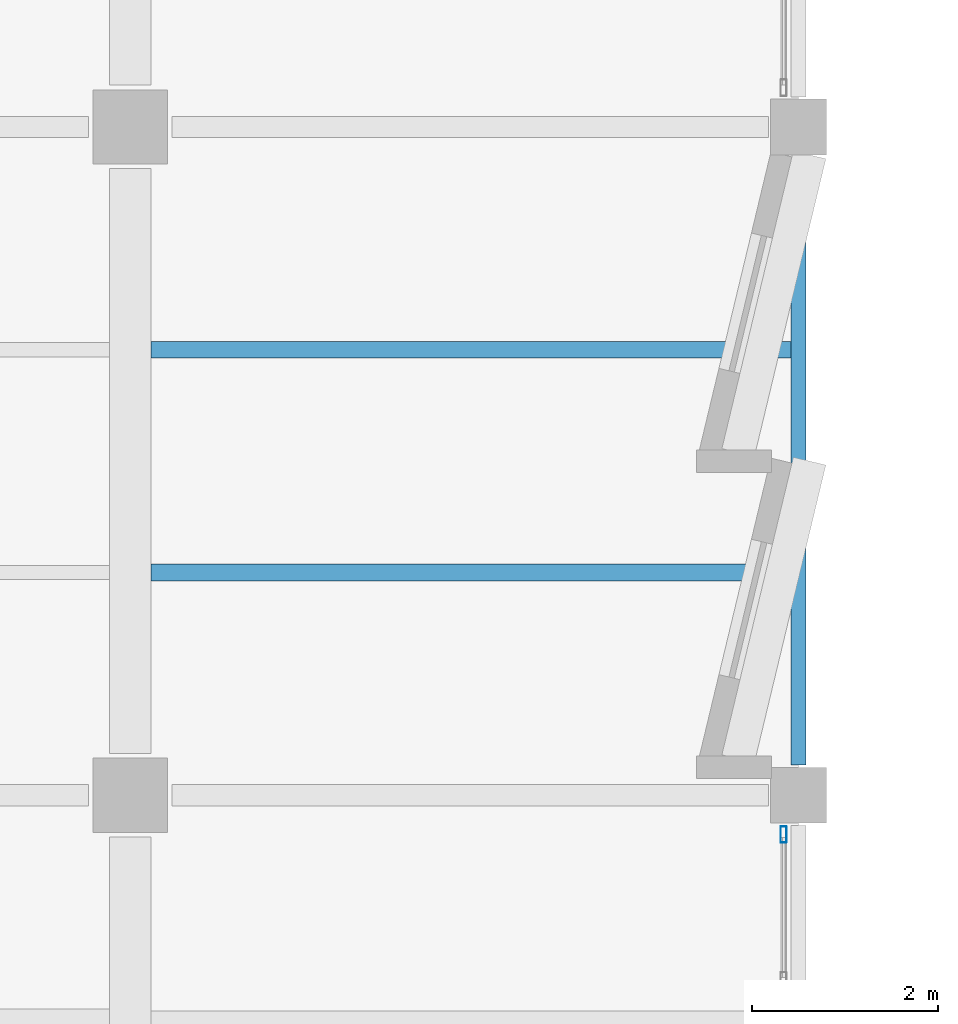
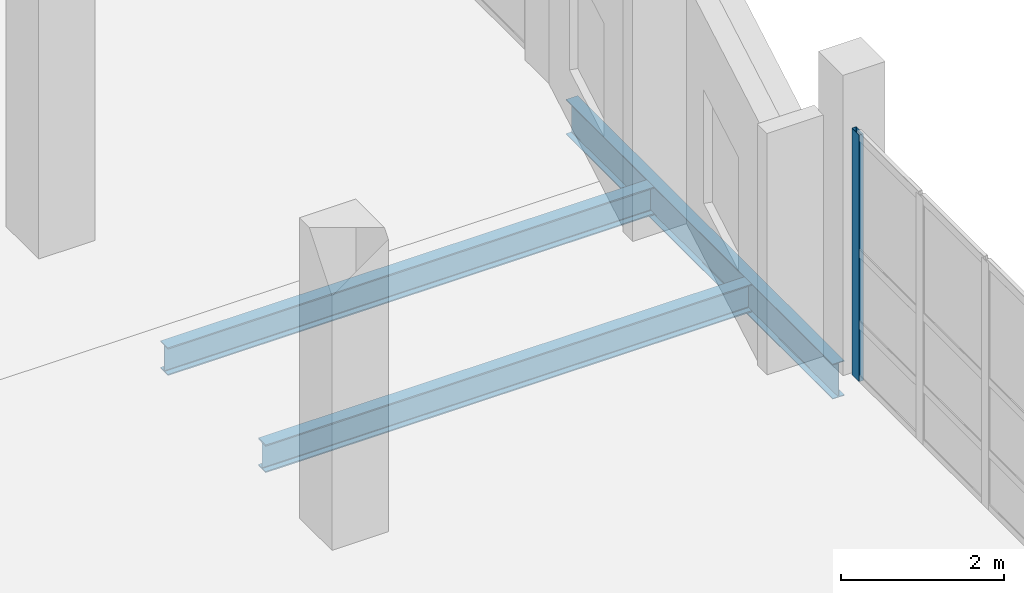
# One storey, part 34 of 123: 3 beams, 1 member, 1 element without a shape of its own.
"""IFC4 building model written with IfcOpenShell, lengths in metres."""

from ifc_helpers import new_model, si_unit, direction, frame, origin, origin_2d, place, context, subcontext, project, spatial, hollow_rectangle, i_section, extrude, material, material_profile, profile_set, type_object, element, aggregate, save


model = new_model("IFC4")

# Units and contexts
model_context = context("Model", 3, precision=1e-05, world=origin(), true_north=direction((0.0, 1.0)))
body_context = subcontext(model_context, "Body", "Model", "MODEL_VIEW")
ifc_project = project(units=[si_unit("LENGTHUNIT", "METRE"), si_unit("AREAUNIT", "SQUARE_METRE"), si_unit("VOLUMEUNIT", "CUBIC_METRE"), si_unit("PLANEANGLEUNIT", "RADIAN"), si_unit("MASSUNIT", "GRAM", prefix="KILO")], contexts=[model_context])

# Site, building, storey
site_placement = place(None, origin())
site = spatial("IfcSite", under=ifc_project, at=site_placement, CompositionType="ELEMENT")
building_placement = place(site_placement, origin())
building = spatial("IfcBuilding", under=site, at=building_placement, Name="Kalmorath City Hall", CompositionType="ELEMENT")
storey_placement = place(building_placement, frame((0.0, 0.0, 10.199951171875)))
storey = spatial("IfcBuildingStorey", under=building, at=storey_placement, Name="L02", CompositionType="ELEMENT", Elevation=10.199951171875)

# Curtain wall, member
ifc_material_1 = material(Name="Anodised aluminium and laminated glass", Category="aluminium")
curtain_wall_type = type_object("IfcCurtainWallType", Name="Unitised hurricane curtain wall 6420x3696 M1450", PredefinedType="NOTDEFINED", material=ifc_material_1)
curtain_wall_placement = place(storey_placement, origin())
curtain_wall = element("IfcCurtainWall", 1, at=curtain_wall_placement, inside=storey, type_object=curtain_wall_type, Name="L02 curtain wall CW-64X37M14 #141", PredefinedType="NOTDEFINED")
ifc_material_2 = material(Name="Anodised aluminium framing", Category="aluminium")
ifc_material_profile_1 = material_profile(ifc_material_2, hollow_rectangle(XDim=0.06494140625, YDim=0.179931640625, WallThickness=0.00390625, InnerFilletRadius=0.00390625, OuterFilletRadius=0.008056640625, at=origin_2d()), Name="ALU-MUL-180X65X4")
ifc_profile_set_1 = profile_set([ifc_material_profile_1], Name="Anodised aluminium framing")
member_type = type_object("IfcMemberType", Name="Curtain-wall courtyard mullion 180x65", PredefinedType="MULLION", material=ifc_profile_set_1)
member_placement = place(storey_placement, frame((28.639892578125, 57.177490234375, 0.0), z_axis=(0.0, 0.0, 1.0), x_axis=(1.0, 0.0, 0.0)))
member = element("IfcMember", 2, at=member_placement, type_object=member_type, Name="CW-64X37M14 mullion 1", PredefinedType="MULLION", context=body_context, shape_type="SweptSolid", body=[
    extrude(hollow_rectangle(XDim=0.06494140625, YDim=0.179931640625, WallThickness=0.00390625, InnerFilletRadius=0.00390625, OuterFilletRadius=0.008056640625, at=origin_2d()), origin(), (0.0, 0.0, 1.0), 3.696044921875),
])
aggregate(curtain_wall, [member])

# Beams
ifc_material_3 = material(Name="Steel ASTM A992 Grade 50", Category="steel")
ifc_material_profile_2 = material_profile(ifc_material_3, i_section(OverallWidth=0.180908203125, OverallDepth=0.4169921875, WebThickness=0.010986328125, FlangeThickness=0.018310546875, FilletRadius=0.012939453125, at=origin_2d()), Name="W16X57")
ifc_profile_set_2 = profile_set([ifc_material_profile_2], Name="Steel ASTM A992 Grade 50")
beam_type_1 = type_object("IfcBeamType", Name="Steel composite joist W16X57", PredefinedType="JOIST", material=ifc_profile_set_2)
for number, where, z_axis, x_axis, name in (
    (3, (21.824951171875, 60.0, -0.492431640625), (1.0, 0.0, 0.0), (0.0, 1.0, 0.0), "L02 joist SJ5 4.9.1"),
    (4, (21.824951171875, 62.39990234375, -0.492431640625), (1.0, 0.0, 0.0), (0.0, 1.0, 0.0), "L02 joist SJ5 4.9.2"),
):
    element("IfcBeam", number, at=place(storey_placement, frame(where, z_axis=z_axis, x_axis=x_axis)), inside=storey, type_object=beam_type_1, Name=name, PredefinedType="JOIST", context=body_context, shape_type="SweptSolid", body=[
        extrude(i_section(OverallWidth=0.180908203125, OverallDepth=0.4169921875, WebThickness=0.010986328125, FlangeThickness=0.018310546875, FilletRadius=0.012939453125, at=origin_2d()), origin(), (0.0, 0.0, 1.0), 6.892578125),
    ])
ifc_material_4 = material(Name="Steel ASTM A992 Grade 50", Category="steel")
ifc_material_profile_3 = material_profile(ifc_material_4, i_section(OverallWidth=0.1650390625, OverallDepth=0.52490234375, WebThickness=0.0087890625, FlangeThickness=0.011474609375, FilletRadius=0.014892578125, at=origin_2d()), Name="W21X44")
ifc_profile_set_3 = profile_set([ifc_material_profile_3], Name="Steel ASTM A992 Grade 50")
beam_type_2 = type_object("IfcBeamType", Name="Steel spandrel beam W21X44", PredefinedType="SPANDREL", material=ifc_profile_set_3)
beam_placement = place(storey_placement, frame((28.800048828125, 57.925048828125, -0.54638671875), z_axis=(0.0, 1.0, 0.0), x_axis=(-1.0, 0.0, 0.0)))
element("IfcBeam", 5, at=beam_placement, inside=storey, type_object=beam_type_2, Name="L02 girder SB4 Y5/9-10", PredefinedType="SPANDREL", context=body_context, shape_type="SweptSolid", body=[
    extrude(i_section(OverallWidth=0.1650390625, OverallDepth=0.52490234375, WebThickness=0.0087890625, FlangeThickness=0.011474609375, FilletRadius=0.014892578125, at=origin_2d()), origin(), (0.0, 0.0, 1.0), 6.550048828125),
])

save(model, "model.ifc")
